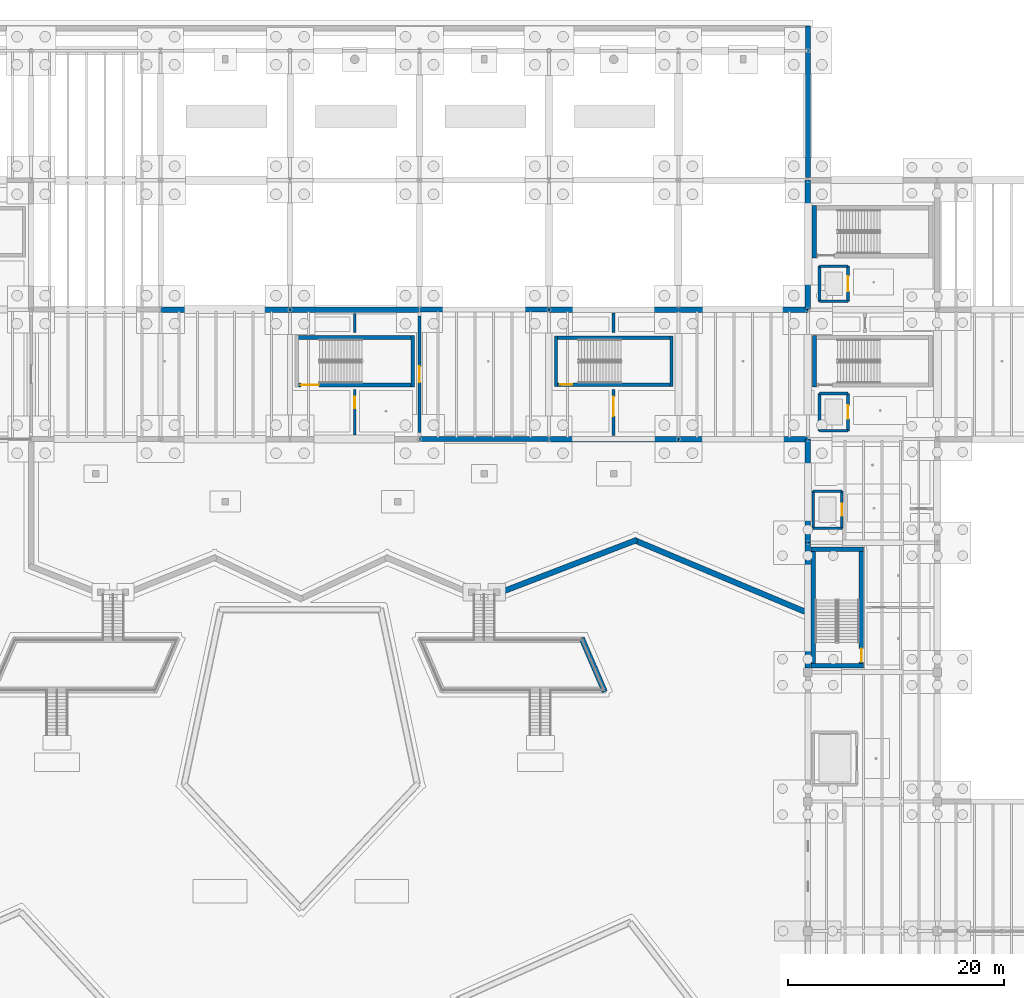
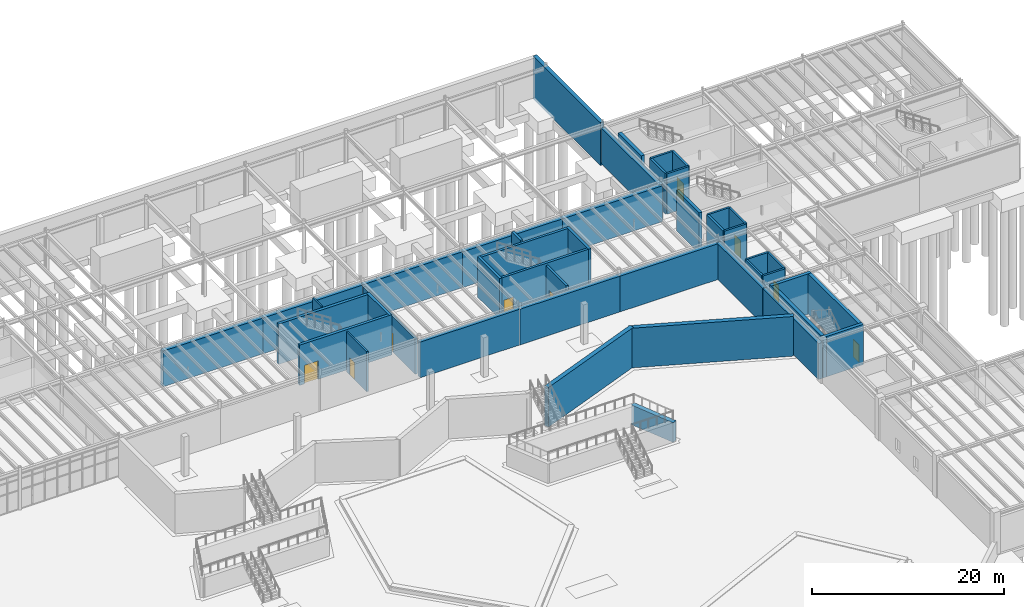
# One storey, part 37 of 67: 45 walls, 9 doors, 9 openings.
"""IFC4 building model written with IfcOpenShell, lengths in metres."""

from ifc_helpers import new_model, si_unit, direction, frame, frame_2d, origin, place, context, subcontext, project, spatial, rectangle, extrude, material, layer, layer_set, type_object, element, fill, save


model = new_model("IFC4")

# Units and contexts
model_context = context("Model", 3, precision=1e-05, world=origin(), true_north=direction((0.0, 1.0)))
body_context = subcontext(model_context, "Body", "Model", "MODEL_VIEW")
ifc_project = project(units=[si_unit("LENGTHUNIT", "METRE"), si_unit("AREAUNIT", "SQUARE_METRE"), si_unit("VOLUMEUNIT", "CUBIC_METRE"), si_unit("PLANEANGLEUNIT", "RADIAN"), si_unit("MASSUNIT", "GRAM", prefix="KILO")], contexts=[model_context])

# Site, building, storey
site_placement = place(None, origin())
site = spatial("IfcSite", under=ifc_project, at=site_placement, CompositionType="ELEMENT")
building_placement = place(site_placement, origin())
building = spatial("IfcBuilding", under=site, at=building_placement, Name="Zlatogorsky Bluff Art Gallery", CompositionType="ELEMENT")
storey_placement = place(building_placement, frame((0.0, 0.0, -5.39990234375)))
storey = spatial("IfcBuildingStorey", under=building, at=storey_placement, Name="B1", CompositionType="ELEMENT", Elevation=-5.39990234375)

# Walls
ifc_material_1 = material(Name="Concrete C35/45", Category="concrete")
ifc_layer_1 = layer(ifc_material_1, 0.449951171875)
ifc_layer_set_1 = layer_set([ifc_layer_1], Name="Exterior Wall RW-01 450mm")
wall_type_1 = type_object("IfcWallType", Name="Exterior Wall RW-01 450mm", PredefinedType="USERDEFINED", material=ifc_layer_set_1)
wall_1_placement = place(storey_placement, frame((120.0, 122.280029296875, -0.400146484375), z_axis=(0.0, 0.0, 1.0), x_axis=(0.0, -1.0, 0.0)))
element("IfcWall", 1, at=wall_1_placement, inside=storey, type_object=wall_type_1, Name="Stepped river-bluff angled concrete wall NSK-04", ObjectType="RETAINING WALL", PredefinedType="USERDEFINED", context=body_context, shape_type="SweptSolid", body=[
    extrude(rectangle(XDim=14.030029296875, YDim=0.449951171875, at=frame_2d((7.01513671875, 0.0))), origin(), (0.0, 0.0, 1.0), 5.43994140625),
])
for number, where, z_axis, x_axis, name in (
    (2, (84.0, 84.0, 0.0), (0.0, 0.0, 1.0), (1.0, 0.0, 0.0), "Exterior wall RW-01 B1 S 7.8"),
    (3, (96.0, 96.0, 0.0), (0.0, 0.0, 1.0), (-1.0, 0.0, 0.0), "Exterior wall RW-01 B1 N 7.8"),
):
    element("IfcWall", number, at=place(storey_placement, frame(where, z_axis=z_axis, x_axis=x_axis)), inside=storey, type_object=wall_type_1, Name=name, ObjectType="RETAINING WALL", PredefinedType="USERDEFINED", context=body_context, shape_type="SweptSolid", body=[
        extrude(rectangle(XDim=12.0, YDim=0.449951171875, at=frame_2d((6.0, 0.0))), origin(), (0.0, 0.0, 1.0), 4.539794921875),
    ])
ifc_layer_2 = layer(ifc_material_1, 0.5)
ifc_layer_set_2 = layer_set([ifc_layer_2], Name="Exterior Wall RW-02 500mm")
wall_type_2 = type_object("IfcWallType", Name="Exterior Wall RW-02 500mm", PredefinedType="USERDEFINED", material=ifc_layer_set_2)
for number, where, z_axis, x_axis, name in (
    (4, (72.0, 96.0, 0.0), (0.0, 0.0, 1.0), (-1.0, 0.0, 0.0), "Exterior wall RW-02 B1 N 5.8"),
    (5, (96.0, 84.0, 0.0), (0.0, 0.0, 1.0), (1.0, 0.0, 0.0), "Exterior wall RW-02 B1 S 8.8"),
    (6, (108.0, 96.0, 0.0), (0.0, 0.0, 1.0), (-1.0, 0.0, 0.0), "Exterior wall RW-02 B1 N 8.8"),
):
    element("IfcWall", number, at=place(storey_placement, frame(where, z_axis=z_axis, x_axis=x_axis)), inside=storey, type_object=wall_type_2, Name=name, ObjectType="RETAINING WALL", PredefinedType="USERDEFINED", context=body_context, shape_type="SweptSolid", body=[
        extrude(rectangle(XDim=12.0, YDim=0.5, at=frame_2d((6.0, 0.0))), origin(), (0.0, 0.0, 1.0), 4.539794921875),
    ])
wall_2_placement = place(storey_placement, frame((120.0, 74.39990234375, 0.0), z_axis=(0.0, 0.0, 1.0), x_axis=(0.0, -1.0, 0.0)))
element("IfcWall", 7, at=wall_2_placement, inside=storey, type_object=wall_type_2, Name="Exterior wall RW-02 B1 W 10.6", ObjectType="RETAINING WALL", PredefinedType="USERDEFINED", context=body_context, shape_type="SweptSolid", body=[
    extrude(rectangle(XDim=11.60498046875, YDim=0.5, at=frame_2d((5.802490234375, 0.0))), origin(), (0.0, 0.0, 1.0), 4.539794921875),
])
wall_3_placement = place(storey_placement, frame((120.0, 108.0, 0.0), z_axis=(0.0, 0.0, 1.0), x_axis=(0.0, -1.0, 0.0)))
element("IfcWall", 8, at=wall_3_placement, inside=storey, type_object=wall_type_2, Name="Exterior wall RW-02 B1 W 10.9", ObjectType="RETAINING WALL", PredefinedType="USERDEFINED", context=body_context, shape_type="SweptSolid", body=[
    extrude(rectangle(XDim=12.0, YDim=0.5, at=frame_2d((6.0, 0.0))), origin(), (0.0, 0.0, 1.0), 4.539794921875),
])
ifc_layer_3 = layer(ifc_material_1, 0.52001953125)
ifc_layer_set_3 = layer_set([ifc_layer_3], Name="Exterior Wall RW-03 520mm")
wall_type_3 = type_object("IfcWallType", Name="Exterior Wall RW-03 520mm", PredefinedType="USERDEFINED", material=ifc_layer_set_3)
wall_4_placement = place(storey_placement, frame((91.0, 69.60009765625, 0.0), z_axis=(0.0, 0.0, 1.0), x_axis=(0.933349174147, 0.358969802516, 0.0)))
element("IfcWall", 9, at=wall_4_placement, inside=storey, type_object=wall_type_3, Name="Stepped river-bluff angled concrete wall RIM-09", ObjectType="RETAINING WALL", PredefinedType="USERDEFINED", context=body_context, shape_type="SweptSolid", body=[
    extrude(rectangle(XDim=14.1083984375, YDim=0.52001953125, at=frame_2d((7.05419921875, 0.0))), origin(), (0.0, 0.0, 1.0), 5.039794921875),
])
wall_5_placement = place(storey_placement, frame((103.833984375, 74.669677734375, 0.0), z_axis=(0.0, 0.0, 1.0), x_axis=(0.922206431843, -0.386697940346, 0.0)))
element("IfcWall", 10, at=wall_5_placement, inside=storey, type_object=wall_type_3, Name="Stepped river-bluff angled concrete wall RIM-10", ObjectType="RETAINING WALL", PredefinedType="USERDEFINED", context=body_context, shape_type="SweptSolid", body=[
    extrude(rectangle(XDim=17.247802734375, YDim=0.52001953125, at=frame_2d((8.6240234375, 0.0))), origin(), (0.0, 0.0, 1.0), 5.039794921875),
])
wall_6_placement = place(storey_placement, frame((101.171142578125, 60.584716796875, 0.0), z_axis=(0.0, 0.0, 1.0), x_axis=(-0.395125413496, 0.918627186409, 0.0)))
element("IfcWall", 11, at=wall_6_placement, inside=storey, type_object=wall_type_3, Name="Stepped river-bluff angled concrete wall EMD-02", ObjectType="RETAINING WALL", PredefinedType="USERDEFINED", context=body_context, shape_type="SweptSolid", body=[
    extrude(rectangle(XDim=5.421875, YDim=0.52001953125, at=frame_2d((2.7109375, 0.0))), origin(), (0.0, 0.0, 1.0), 2.489990234375),
])
for number, where, z_axis, x_axis, name in (
    (12, (84.0, 96.0, 0.0), (0.0, 0.0, 1.0), (-1.0, 0.0, 0.0), "Exterior wall RW-03 B1 N 6.8"),
    (13, (108.0, 84.0, 0.0), (0.0, 0.0, 1.0), (1.0, 0.0, 0.0), "Exterior wall RW-03 B1 S 9.8"),
    (14, (120.0, 96.0, 0.0), (0.0, 0.0, 1.0), (-1.0, 0.0, 0.0), "Exterior wall RW-03 B1 N 9.8"),
):
    element("IfcWall", number, at=place(storey_placement, frame(where, z_axis=z_axis, x_axis=x_axis)), inside=storey, type_object=wall_type_3, Name=name, ObjectType="RETAINING WALL", PredefinedType="USERDEFINED", context=body_context, shape_type="SweptSolid", body=[
        extrude(rectangle(XDim=12.0, YDim=0.52001953125, at=frame_2d((6.0, 0.0))), origin(), (0.0, 0.0, 1.0), 4.539794921875),
    ])
wall_7_placement = place(storey_placement, frame((120.0, 84.0, 0.0), z_axis=(0.0, 0.0, 1.0), x_axis=(0.0, -1.0, 0.0)))
element("IfcWall", 15, at=wall_7_placement, inside=storey, type_object=wall_type_3, Name="Exterior wall RW-03 B1 W 10.7", ObjectType="RETAINING WALL", PredefinedType="USERDEFINED", context=body_context, shape_type="SweptSolid", body=[
    extrude(rectangle(XDim=9.60009765625, YDim=0.52001953125, at=frame_2d((4.800048828125, 0.0))), origin(), (0.0, 0.0, 1.0), 4.539794921875),
])

# Wall, opening, door
ifc_material_2 = material(Name="Concrete C30/37", Category="concrete")
ifc_layer_4 = layer(ifc_material_2, 0.199951171875)
ifc_layer_set_4 = layer_set([ifc_layer_4], Name="Interior Wall IW-03 200mm")
wall_type_4 = type_object("IfcWallType", Name="Interior Wall IW-03 200mm", PredefinedType="PARTITIONING", material=ifc_layer_set_4)
wall_8_placement = place(storey_placement, frame((78.0, 84.3701171875, 0.0), z_axis=(0.0, 0.0, 1.0), x_axis=(0.0, 1.0, 0.0)))
wall_8 = element("IfcWall", 16, at=wall_8_placement, inside=storey, type_object=wall_type_4, Name="Partition IW-03 between B1-C1-11 and B1-C1-12-S1", PredefinedType="PARTITIONING", context=body_context, shape_type="SweptSolid", body=[
    extrude(rectangle(XDim=4.2099609375, YDim=0.199951171875, at=frame_2d((2.10498046875, 0.0))), origin(), (0.0, 0.0, 1.0), 5.099853515625),
])
opening_1_placement = place(wall_8_placement, frame((2.510009765625, 0.0, 0.0)))
opening_1 = element("IfcOpeningElement", 17, at=opening_1_placement, cuts=wall_8, Name="Opening ID-04", PredefinedType="OPENING", context=body_context, shape_type="SweptSolid", body=[
    extrude(rectangle(XDim=1.050048828125, YDim=2.199951171875, at=frame_2d((0.52490234375, 1.10009765625))), frame((0.0, 0.10986328125, 0.0), z_axis=(0.0, -1.0, 0.0), x_axis=(1.0, 0.0, 0.0)), (0.0, 0.0, 1.0), 0.219970703125),
])
ifc_material_3 = material(Name="Anodised Aluminium and Laminated Timber", Category="wood")
door_type_1 = type_object("IfcDoorType", Name="Interior Door ID-04 1050x2200", OperationType="SINGLE_SWING_LEFT", PredefinedType="DOOR", material=ifc_material_3)
door_1_placement = place(opening_1_placement, origin())
door_1 = element("IfcDoor", 18, at=door_1_placement, inside=storey, type_object=door_type_1, Name="Door ID-04 B1-C1-11-B1-C1-12-S1", OperationType="SINGLE_SWING_LEFT", OverallHeight=2.199951171875, OverallWidth=1.050048828125, PredefinedType="DOOR", context=body_context, shape_type="SweptSolid", body=[
    extrude(rectangle(XDim=1.050048828125, YDim=2.199951171875, at=frame_2d((0.52490234375, 1.10009765625))), frame((0.0, 0.02490234375, 0.0), z_axis=(0.0, -1.0, 0.0), x_axis=(1.0, 0.0, 0.0)), (0.0, 0.0, 1.0), 0.050048828125),
])
fill(opening_1, door_1)

# Walls
wall_9_placement = place(storey_placement, frame((78.0, 93.8701171875, 0.0), z_axis=(0.0, 0.0, 1.0), x_axis=(0.0, 1.0, 0.0)))
element("IfcWall", 19, at=wall_9_placement, inside=storey, type_object=wall_type_4, Name="Partition IW-03 between B1-C1-11 and B1-C1-12-S2", PredefinedType="PARTITIONING", context=body_context, shape_type="SweptSolid", body=[
    extrude(rectangle(XDim=1.759765625, YDim=0.199951171875, at=frame_2d((0.8798828125, 0.0))), origin(), (0.0, 0.0, 1.0), 5.099853515625),
])
ifc_layer_5 = layer(ifc_material_1, 0.25)
ifc_layer_set_5 = layer_set([ifc_layer_5], Name="Interior Wall IW-05 250mm")
wall_type_5 = type_object("IfcWallType", Name="Interior Wall IW-05 250mm", PredefinedType="SOLIDWALL", material=ifc_layer_set_5)
wall_10_placement = place(storey_placement, frame((120.4951171875, 75.72509765625, 0.0), z_axis=(0.0, 0.0, 1.0), x_axis=(1.0, 0.0, 0.0)))
element("IfcWall", 20, at=wall_10_placement, inside=storey, type_object=wall_type_5, Name="Lift FL-1 shaft wall B1 S", PredefinedType="SOLIDWALL", context=body_context, shape_type="SweptSolid", body=[
    extrude(rectangle(XDim=2.64990234375, YDim=0.25, at=frame_2d((1.324951171875, 0.0))), origin(), (0.0, 0.0, 1.0), 5.119873046875),
])

# Wall, opening, door
wall_11_placement = place(storey_placement, frame((123.14501953125, 75.72509765625, 0.0), z_axis=(0.0, 0.0, 1.0), x_axis=(0.0, 1.0, 0.0)))
wall_11 = element("IfcWall", 21, at=wall_11_placement, inside=storey, type_object=wall_type_5, Name="Lift FL-1 shaft wall B1 E", PredefinedType="SOLIDWALL", context=body_context, shape_type="SweptSolid", body=[
    extrude(rectangle(XDim=3.449951171875, YDim=0.25, at=frame_2d((1.72509765625, 0.0))), origin(), (0.0, 0.0, 1.0), 5.119873046875),
])
opening_2_placement = place(wall_11_placement, frame((1.175048828125, 0.0, 0.0)))
opening_2 = element("IfcOpeningElement", 22, at=opening_2_placement, cuts=wall_11, Name="Opening LD-01", PredefinedType="OPENING", context=body_context, shape_type="SweptSolid", body=[
    extrude(rectangle(XDim=1.10009765625, YDim=2.199951171875, at=frame_2d((0.550048828125, 1.10009765625))), frame((0.0, 0.135009765625, 0.0), z_axis=(0.0, -1.0, 0.0), x_axis=(1.0, 0.0, 0.0)), (0.0, 0.0, 1.0), 0.27001953125),
])
door_type_2 = type_object("IfcDoorType", Name="Interior Door LD-01 1100x2200", OperationType="SLIDING_TO_LEFT", PredefinedType="DOOR", material=ifc_material_3)
door_2_placement = place(opening_2_placement, origin())
door_2 = element("IfcDoor", 23, at=door_2_placement, inside=storey, type_object=door_type_2, Name="Lift FL-1 sliding landing door B1", OperationType="SLIDING_TO_LEFT", OverallHeight=2.199951171875, OverallWidth=1.10009765625, PredefinedType="DOOR", context=body_context, shape_type="SweptSolid", body=[
    extrude(rectangle(XDim=1.10009765625, YDim=2.199951171875, at=frame_2d((0.550048828125, 1.10009765625))), frame((0.0, 0.02490234375, 0.0), z_axis=(0.0, -1.0, 0.0), x_axis=(1.0, 0.0, 0.0)), (0.0, 0.0, 1.0), 0.050048828125),
])
fill(opening_2, door_2)

# Walls
wall_12_placement = place(storey_placement, frame((123.14501953125, 79.175048828125, 0.0), z_axis=(0.0, 0.0, 1.0), x_axis=(-1.0, 0.0, 0.0)))
element("IfcWall", 24, at=wall_12_placement, inside=storey, type_object=wall_type_5, Name="Lift FL-1 shaft wall B1 N", PredefinedType="SOLIDWALL", context=body_context, shape_type="SweptSolid", body=[
    extrude(rectangle(XDim=2.64990234375, YDim=0.25, at=frame_2d((1.324951171875, 0.0))), origin(), (0.0, 0.0, 1.0), 5.119873046875),
])
wall_13_placement = place(storey_placement, frame((120.4951171875, 79.175048828125, 0.0), z_axis=(0.0, 0.0, 1.0), x_axis=(0.0, -1.0, 0.0)))
element("IfcWall", 25, at=wall_13_placement, inside=storey, type_object=wall_type_5, Name="Lift FL-1 shaft wall B1 W", PredefinedType="SOLIDWALL", context=body_context, shape_type="SweptSolid", body=[
    extrude(rectangle(XDim=3.449951171875, YDim=0.25, at=frame_2d((1.72509765625, 0.0))), origin(), (0.0, 0.0, 1.0), 5.119873046875),
])
wall_14_placement = place(storey_placement, frame((121.074951171875, 84.77490234375, 0.0), z_axis=(0.0, 0.0, 1.0), x_axis=(1.0, 0.0, 0.0)))
element("IfcWall", 26, at=wall_14_placement, inside=storey, type_object=wall_type_5, Name="Lift FL-2 shaft wall B1 S", PredefinedType="SOLIDWALL", context=body_context, shape_type="SweptSolid", body=[
    extrude(rectangle(XDim=2.650146484375, YDim=0.25, at=frame_2d((1.3251953125, 0.0))), origin(), (0.0, 0.0, 1.0), 5.119873046875),
])

# Wall, opening, door
wall_15_placement = place(storey_placement, frame((123.72509765625, 84.77490234375, 0.0), z_axis=(0.0, 0.0, 1.0), x_axis=(0.0, 1.0, 0.0)))
wall_15 = element("IfcWall", 27, at=wall_15_placement, inside=storey, type_object=wall_type_5, Name="Lift FL-2 shaft wall B1 E", PredefinedType="SOLIDWALL", context=body_context, shape_type="SweptSolid", body=[
    extrude(rectangle(XDim=3.4501953125, YDim=0.25, at=frame_2d((1.72509765625, 0.0))), origin(), (0.0, 0.0, 1.0), 5.119873046875),
])
opening_3_placement = place(wall_15_placement, frame((1.10009765625, 0.0, 0.0)))
opening_3 = element("IfcOpeningElement", 28, at=opening_3_placement, cuts=wall_15, Name="Opening LD-02", PredefinedType="OPENING", context=body_context, shape_type="SweptSolid", body=[
    extrude(rectangle(XDim=1.25, YDim=2.25, at=frame_2d((0.625, 1.125))), frame((0.0, 0.135009765625, 0.0), z_axis=(0.0, -1.0, 0.0), x_axis=(1.0, 0.0, 0.0)), (0.0, 0.0, 1.0), 0.27001953125),
])
door_type_3 = type_object("IfcDoorType", Name="Interior Door LD-02 1250x2250", OperationType="SLIDING_TO_LEFT", PredefinedType="DOOR", material=ifc_material_3)
door_3_placement = place(opening_3_placement, origin())
door_3 = element("IfcDoor", 29, at=door_3_placement, inside=storey, type_object=door_type_3, Name="Lift FL-2 sliding landing door B1", OperationType="SLIDING_TO_LEFT", OverallHeight=2.25, OverallWidth=1.25, PredefinedType="DOOR", context=body_context, shape_type="SweptSolid", body=[
    extrude(rectangle(XDim=1.25, YDim=2.25, at=frame_2d((0.625, 1.125))), frame((0.0, 0.02490234375, 0.0), z_axis=(0.0, -1.0, 0.0), x_axis=(1.0, 0.0, 0.0)), (0.0, 0.0, 1.0), 0.050048828125),
])
fill(opening_3, door_3)

# Walls
wall_16_placement = place(storey_placement, frame((123.72509765625, 88.22509765625, 0.0), z_axis=(0.0, 0.0, 1.0), x_axis=(-1.0, 0.0, 0.0)))
element("IfcWall", 30, at=wall_16_placement, inside=storey, type_object=wall_type_5, Name="Lift FL-2 shaft wall B1 N", PredefinedType="SOLIDWALL", context=body_context, shape_type="SweptSolid", body=[
    extrude(rectangle(XDim=2.650146484375, YDim=0.25, at=frame_2d((1.3251953125, 0.0))), origin(), (0.0, 0.0, 1.0), 5.119873046875),
])
wall_17_placement = place(storey_placement, frame((121.074951171875, 88.22509765625, 0.0), z_axis=(0.0, 0.0, 1.0), x_axis=(0.0, -1.0, 0.0)))
element("IfcWall", 31, at=wall_17_placement, inside=storey, type_object=wall_type_5, Name="Lift FL-2 shaft wall B1 W", PredefinedType="SOLIDWALL", context=body_context, shape_type="SweptSolid", body=[
    extrude(rectangle(XDim=3.4501953125, YDim=0.25, at=frame_2d((1.72509765625, 0.0))), origin(), (0.0, 0.0, 1.0), 5.119873046875),
])
wall_18_placement = place(storey_placement, frame((121.074951171875, 96.77490234375, 0.0), z_axis=(0.0, 0.0, 1.0), x_axis=(1.0, 0.0, 0.0)))
element("IfcWall", 32, at=wall_18_placement, inside=storey, type_object=wall_type_5, Name="Lift PL-1 shaft wall B1 S", PredefinedType="SOLIDWALL", context=body_context, shape_type="SweptSolid", body=[
    extrude(rectangle(XDim=2.650146484375, YDim=0.25, at=frame_2d((1.3251953125, 0.0))), origin(), (0.0, 0.0, 1.0), 5.119873046875),
])

# Wall, opening, door
wall_19_placement = place(storey_placement, frame((123.72509765625, 96.77490234375, 0.0), z_axis=(0.0, 0.0, 1.0), x_axis=(0.0, 1.0, 0.0)))
wall_19 = element("IfcWall", 33, at=wall_19_placement, inside=storey, type_object=wall_type_5, Name="Lift PL-1 shaft wall B1 E", PredefinedType="SOLIDWALL", context=body_context, shape_type="SweptSolid", body=[
    extrude(rectangle(XDim=3.25, YDim=0.25, at=frame_2d((1.625, 0.0))), origin(), (0.0, 0.0, 1.0), 5.119873046875),
])
opening_4_placement = place(wall_19_placement, frame((0.925048828125, 0.0, 0.0)))
opening_4 = element("IfcOpeningElement", 34, at=opening_4_placement, cuts=wall_19, Name="Opening LD-03", PredefinedType="OPENING", context=body_context, shape_type="SweptSolid", body=[
    extrude(rectangle(XDim=1.39990234375, YDim=2.300048828125, at=frame_2d((0.699951171875, 1.14990234375))), frame((0.0, 0.135009765625, 0.0), z_axis=(0.0, -1.0, 0.0), x_axis=(1.0, 0.0, 0.0)), (0.0, 0.0, 1.0), 0.27001953125),
])
door_type_4 = type_object("IfcDoorType", Name="Interior Door LD-03 1400x2300", OperationType="SLIDING_TO_LEFT", PredefinedType="DOOR", material=ifc_material_3)
door_4_placement = place(opening_4_placement, origin())
door_4 = element("IfcDoor", 35, at=door_4_placement, inside=storey, type_object=door_type_4, Name="Lift PL-1 sliding landing door B1", OperationType="SLIDING_TO_LEFT", OverallHeight=2.300048828125, OverallWidth=1.39990234375, PredefinedType="DOOR", context=body_context, shape_type="SweptSolid", body=[
    extrude(rectangle(XDim=1.39990234375, YDim=2.300048828125, at=frame_2d((0.699951171875, 1.14990234375))), frame((0.0, 0.02490234375, 0.0), z_axis=(0.0, -1.0, 0.0), x_axis=(1.0, 0.0, 0.0)), (0.0, 0.0, 1.0), 0.050048828125),
])
fill(opening_4, door_4)

# Walls
wall_20_placement = place(storey_placement, frame((123.72509765625, 100.02490234375, 0.0), z_axis=(0.0, 0.0, 1.0), x_axis=(-1.0, 0.0, 0.0)))
element("IfcWall", 36, at=wall_20_placement, inside=storey, type_object=wall_type_5, Name="Lift PL-1 shaft wall B1 N", PredefinedType="SOLIDWALL", context=body_context, shape_type="SweptSolid", body=[
    extrude(rectangle(XDim=2.650146484375, YDim=0.25, at=frame_2d((1.3251953125, 0.0))), origin(), (0.0, 0.0, 1.0), 5.119873046875),
])
wall_21_placement = place(storey_placement, frame((121.074951171875, 100.02490234375, 0.0), z_axis=(0.0, 0.0, 1.0), x_axis=(0.0, -1.0, 0.0)))
element("IfcWall", 37, at=wall_21_placement, inside=storey, type_object=wall_type_5, Name="Lift PL-1 shaft wall B1 W", PredefinedType="SOLIDWALL", context=body_context, shape_type="SweptSolid", body=[
    extrude(rectangle(XDim=3.25, YDim=0.25, at=frame_2d((1.625, 0.0))), origin(), (0.0, 0.0, 1.0), 5.119873046875),
])

# Wall, opening, door
ifc_layer_6 = layer(ifc_material_1, 0.280029296875)
ifc_layer_set_6 = layer_set([ifc_layer_6], Name="Interior Wall IW-06 280mm")
wall_type_6 = type_object("IfcWallType", Name="Interior Wall IW-06 280mm", PredefinedType="SOLIDWALL", material=ifc_layer_set_6)
wall_22_placement = place(storey_placement, frame((84.0, 84.594482421875, 0.0), z_axis=(0.0, 0.0, 1.0), x_axis=(0.0, 1.0, 0.0)))
wall_22 = element("IfcWall", 38, at=wall_22_placement, inside=storey, type_object=wall_type_6, Name="Partition IW-06 between B1-C1-12 and B1-S3-11", PredefinedType="SOLIDWALL", context=body_context, shape_type="SweptSolid", body=[
    extrude(rectangle(XDim=10.81103515625, YDim=0.280029296875, at=frame_2d((5.405517578125, 0.0))), origin(), (0.0, 0.0, 1.0), 4.52978515625),
])
opening_5_placement = place(wall_22_placement, frame((4.656005859375, 0.0, 0.0)))
opening_5 = element("IfcOpeningElement", 39, at=opening_5_placement, cuts=wall_22, Name="Opening ID-09", PredefinedType="OPENING", context=body_context, shape_type="SweptSolid", body=[
    extrude(rectangle(XDim=1.5, YDim=2.35009765625, at=frame_2d((0.75, 1.175048828125))), frame((0.0, 0.14990234375, 0.0), z_axis=(0.0, -1.0, 0.0), x_axis=(1.0, 0.0, 0.0)), (0.0, 0.0, 1.0), 0.300048828125),
])
door_type_5 = type_object("IfcDoorType", Name="Interior Door ID-09 1500x2350", OperationType="DOUBLE_DOOR_SINGLE_SWING", PredefinedType="DOOR", material=ifc_material_3)
door_5_placement = place(opening_5_placement, origin())
door_5 = element("IfcDoor", 40, at=door_5_placement, inside=storey, type_object=door_type_5, Name="Door ID-09 B1-C1-12-B1-S3-11", OperationType="DOUBLE_DOOR_SINGLE_SWING", OverallHeight=2.35009765625, OverallWidth=1.5, PredefinedType="DOOR", context=body_context, shape_type="SweptSolid", body=[
    extrude(rectangle(XDim=1.5, YDim=2.35009765625, at=frame_2d((0.75, 1.175048828125))), frame((0.0, 0.02490234375, 0.0), z_axis=(0.0, -1.0, 0.0), x_axis=(1.0, 0.0, 0.0)), (0.0, 0.0, 1.0), 0.050048828125),
])
fill(opening_5, door_5)

wall_23_placement = place(storey_placement, frame((102.0, 84.330078125, 0.0), z_axis=(0.0, 0.0, 1.0), x_axis=(0.0, 1.0, 0.0)))
wall_23 = element("IfcWall", 41, at=wall_23_placement, inside=storey, type_object=wall_type_6, Name="Partition IW-06 between B1-S3-11 and B1-S3-12-S1", PredefinedType="SOLIDWALL", context=body_context, shape_type="SweptSolid", body=[
    extrude(rectangle(XDim=4.25, YDim=0.280029296875, at=frame_2d((2.125, 0.0))), origin(), (0.0, 0.0, 1.0), 5.099853515625),
])
opening_6_placement = place(wall_23_placement, frame((1.800048828125, 0.0, 0.0)))
opening_6 = element("IfcOpeningElement", 42, at=opening_6_placement, cuts=wall_23, Name="Opening ID-11", PredefinedType="OPENING", context=body_context, shape_type="SweptSolid", body=[
    extrude(rectangle(XDim=1.800048828125, YDim=2.39990234375, at=frame_2d((0.89990234375, 1.199951171875))), frame((0.0, 0.14990234375, 0.0), z_axis=(0.0, -1.0, 0.0), x_axis=(1.0, 0.0, 0.0)), (0.0, 0.0, 1.0), 0.300048828125),
])
door_type_6 = type_object("IfcDoorType", Name="Interior Door ID-11 1800x2400", OperationType="DOUBLE_DOOR_SINGLE_SWING", PredefinedType="DOOR", material=ifc_material_3)
door_6_placement = place(opening_6_placement, origin())
door_6 = element("IfcDoor", 43, at=door_6_placement, inside=storey, type_object=door_type_6, Name="Door ID-11 B1-S3-11-B1-S3-12-S1", OperationType="DOUBLE_DOOR_SINGLE_SWING", OverallHeight=2.39990234375, OverallWidth=1.800048828125, PredefinedType="DOOR", context=body_context, shape_type="SweptSolid", body=[
    extrude(rectangle(XDim=1.800048828125, YDim=2.39990234375, at=frame_2d((0.89990234375, 1.199951171875))), frame((0.0, 0.02490234375, 0.0), z_axis=(0.0, -1.0, 0.0), x_axis=(1.0, 0.0, 0.0)), (0.0, 0.0, 1.0), 0.050048828125),
])
fill(opening_6, door_6)

# Wall
wall_24_placement = place(storey_placement, frame((102.0, 93.8701171875, 0.0), z_axis=(0.0, 0.0, 1.0), x_axis=(0.0, 1.0, 0.0)))
element("IfcWall", 44, at=wall_24_placement, inside=storey, type_object=wall_type_6, Name="Partition IW-06 between B1-S3-11 and B1-S3-12-S2", PredefinedType="SOLIDWALL", context=body_context, shape_type="SweptSolid", body=[
    extrude(rectangle(XDim=1.7998046875, YDim=0.280029296875, at=frame_2d((0.89990234375, 0.0))), origin(), (0.0, 0.0, 1.0), 5.099853515625),
])

# Wall, opening, door
ifc_layer_7 = layer(ifc_material_1, 0.300048828125)
ifc_layer_set_7 = layer_set([ifc_layer_7], Name="Interior Wall SW-01 300mm")
wall_type_7 = type_object("IfcWallType", Name="Interior Wall SW-01 300mm", PredefinedType="SHEAR", material=ifc_layer_set_7)
wall_25_placement = place(storey_placement, frame((96.5, 89.050048828125, 0.0), z_axis=(0.0, 0.0, 1.0), x_axis=(1.0, 0.0, 0.0)))
wall_25 = element("IfcWall", 45, at=wall_25_placement, inside=storey, type_object=wall_type_7, Name="Stair ST-01 enclosure wall B1 W0", PredefinedType="SHEAR", context=body_context, shape_type="SweptSolid", body=[
    extrude(rectangle(XDim=11.0, YDim=0.300048828125, at=frame_2d((5.5, 0.0))), origin(), (0.0, 0.0, 1.0), 5.119873046875),
])
opening_7_placement = place(wall_25_placement, frame((0.550048828125, 0.0, 0.0)))
opening_7 = element("IfcOpeningElement", 46, at=opening_7_placement, cuts=wall_25, Name="Opening FD-01", PredefinedType="OPENING", context=body_context, shape_type="SweptSolid", body=[
    extrude(rectangle(XDim=1.1201171875, YDim=2.199951171875, at=frame_2d((0.56005859375, 1.10009765625))), frame((0.0, 0.159912109375, 0.0), z_axis=(0.0, -1.0, 0.0), x_axis=(1.0, 0.0, 0.0)), (0.0, 0.0, 1.0), 0.320068359375),
])
door_type_7 = type_object("IfcDoorType", Name="Interior Door FD-01 1120x2200", OperationType="SINGLE_SWING_LEFT", PredefinedType="DOOR", material=ifc_material_3)
door_7_placement = place(opening_7_placement, origin())
door_7 = element("IfcDoor", 47, at=door_7_placement, inside=storey, type_object=door_type_7, Name="Stair ST-01 fire door B1", OperationType="SINGLE_SWING_LEFT", OverallHeight=2.199951171875, OverallWidth=1.1201171875, PredefinedType="DOOR", context=body_context, shape_type="SweptSolid", body=[
    extrude(rectangle(XDim=1.1201171875, YDim=2.199951171875, at=frame_2d((0.56005859375, 1.10009765625))), frame((0.0, 0.02490234375, 0.0), z_axis=(0.0, -1.0, 0.0), x_axis=(1.0, 0.0, 0.0)), (0.0, 0.0, 1.0), 0.050048828125),
])
fill(opening_7, door_7)

# Walls
wall_26_placement = place(storey_placement, frame((107.35009765625, 88.89990234375, 0.0), z_axis=(0.0, 0.0, 1.0), x_axis=(0.0, 1.0, 0.0)))
element("IfcWall", 48, at=wall_26_placement, inside=storey, type_object=wall_type_7, Name="Stair ST-01 enclosure wall B1 FEND", PredefinedType="SHEAR", context=body_context, shape_type="SweptSolid", body=[
    extrude(rectangle(XDim=4.650146484375, YDim=0.300048828125, at=frame_2d((2.3251953125, 0.0))), origin(), (0.0, 0.0, 1.0), 5.119873046875),
])
wall_27_placement = place(storey_placement, frame((107.5, 93.39990234375, 0.0), z_axis=(0.0, 0.0, 1.0), x_axis=(-1.0, 0.0, 0.0)))
element("IfcWall", 49, at=wall_27_placement, inside=storey, type_object=wall_type_7, Name="Stair ST-01 enclosure wall B1 W1", PredefinedType="SHEAR", context=body_context, shape_type="SweptSolid", body=[
    extrude(rectangle(XDim=11.0, YDim=0.300048828125, at=frame_2d((5.5, 0.0))), origin(), (0.0, 0.0, 1.0), 5.119873046875),
])
wall_28_placement = place(storey_placement, frame((96.64990234375, 93.550048828125, 0.0), z_axis=(0.0, 0.0, 1.0), x_axis=(0.0, -1.0, 0.0)))
element("IfcWall", 50, at=wall_28_placement, inside=storey, type_object=wall_type_7, Name="Stair ST-01 enclosure wall B1 LEND", PredefinedType="SHEAR", context=body_context, shape_type="SweptSolid", body=[
    extrude(rectangle(XDim=4.650146484375, YDim=0.300048828125, at=frame_2d((2.3251953125, 0.0))), origin(), (0.0, 0.0, 1.0), 5.119873046875),
])
ifc_layer_8 = layer(ifc_material_1, 0.35009765625)
ifc_layer_set_8 = layer_set([ifc_layer_8], Name="Interior Wall SW-02 350mm")
wall_type_8 = type_object("IfcWallType", Name="Interior Wall SW-02 350mm", PredefinedType="SHEAR", material=ifc_layer_set_8)
wall_29_placement = place(storey_placement, frame((120.625, 93.60009765625, 0.0), z_axis=(0.0, 0.0, 1.0), x_axis=(0.0, -1.0, 0.0)))
element("IfcWall", 51, at=wall_29_placement, inside=storey, type_object=wall_type_8, Name="Stair ST-02 enclosure wall B1 LEND", PredefinedType="SHEAR", context=body_context, shape_type="SweptSolid", body=[
    extrude(rectangle(XDim=4.75, YDim=0.35009765625, at=frame_2d((2.375, 0.0))), origin(), (0.0, 0.0, 1.0), 5.119873046875),
])

# Wall, opening, door
wall_30_placement = place(storey_placement, frame((72.449951171875, 89.02490234375, 0.0), z_axis=(0.0, 0.0, 1.0), x_axis=(1.0, 0.0, 0.0)))
wall_30 = element("IfcWall", 52, at=wall_30_placement, inside=storey, type_object=wall_type_8, Name="Stair ST-08 enclosure wall B1 W0", PredefinedType="SHEAR", context=body_context, shape_type="SweptSolid", body=[
    extrude(rectangle(XDim=11.10009765625, YDim=0.35009765625, at=frame_2d((5.550048828125, 0.0))), origin(), (0.0, 0.0, 1.0), 5.119873046875),
])
opening_8_placement = place(wall_30_placement, frame((0.550048828125, 0.0, 0.0)))
opening_8 = element("IfcOpeningElement", 53, at=opening_8_placement, cuts=wall_30, Name="Opening FD-04", PredefinedType="OPENING", context=body_context, shape_type="SweptSolid", body=[
    extrude(rectangle(XDim=1.679931640625, YDim=2.35009765625, at=frame_2d((0.83984375, 1.175048828125))), frame((0.0, 0.18505859375, 0.0), z_axis=(0.0, -1.0, 0.0), x_axis=(1.0, 0.0, 0.0)), (0.0, 0.0, 1.0), 0.3701171875),
])
door_type_8 = type_object("IfcDoorType", Name="Interior Door FD-04 1680x2350", OperationType="DOUBLE_DOOR_SINGLE_SWING", PredefinedType="DOOR", material=ifc_material_3)
door_8_placement = place(opening_8_placement, origin())
door_8 = element("IfcDoor", 54, at=door_8_placement, inside=storey, type_object=door_type_8, Name="Stair ST-08 fire door B1", OperationType="DOUBLE_DOOR_SINGLE_SWING", OverallHeight=2.35009765625, OverallWidth=1.679931640625, PredefinedType="DOOR", context=body_context, shape_type="SweptSolid", body=[
    extrude(rectangle(XDim=1.679931640625, YDim=2.35009765625, at=frame_2d((0.83984375, 1.175048828125))), frame((0.0, 0.02490234375, 0.0), z_axis=(0.0, -1.0, 0.0), x_axis=(1.0, 0.0, 0.0)), (0.0, 0.0, 1.0), 0.050048828125),
])
fill(opening_8, door_8)

# Walls
wall_31_placement = place(storey_placement, frame((83.375, 88.85009765625, 0.0), z_axis=(0.0, 0.0, 1.0), x_axis=(0.0, 1.0, 0.0)))
element("IfcWall", 55, at=wall_31_placement, inside=storey, type_object=wall_type_8, Name="Stair ST-08 enclosure wall B1 FEND", PredefinedType="SHEAR", context=body_context, shape_type="SweptSolid", body=[
    extrude(rectangle(XDim=4.75, YDim=0.35009765625, at=frame_2d((2.375, 0.0))), origin(), (0.0, 0.0, 1.0), 5.119873046875),
])
wall_32_placement = place(storey_placement, frame((83.550048828125, 93.425048828125, 0.0), z_axis=(0.0, 0.0, 1.0), x_axis=(-1.0, 0.0, 0.0)))
element("IfcWall", 56, at=wall_32_placement, inside=storey, type_object=wall_type_8, Name="Stair ST-08 enclosure wall B1 W1", PredefinedType="SHEAR", context=body_context, shape_type="SweptSolid", body=[
    extrude(rectangle(XDim=11.10009765625, YDim=0.35009765625, at=frame_2d((5.550048828125, 0.0))), origin(), (0.0, 0.0, 1.0), 5.119873046875),
])
ifc_layer_9 = layer(ifc_material_1, 0.39990234375)
ifc_layer_set_9 = layer_set([ifc_layer_9], Name="Interior Wall SW-03 400mm")
wall_type_9 = type_object("IfcWallType", Name="Interior Wall SW-03 400mm", PredefinedType="SHEAR", material=ifc_layer_set_9)
wall_33_placement = place(storey_placement, frame((120.60009765625, 105.64990234375, 0.0), z_axis=(0.0, 0.0, 1.0), x_axis=(0.0, -1.0, 0.0)))
element("IfcWall", 57, at=wall_33_placement, inside=storey, type_object=wall_type_9, Name="Stair ST-03 enclosure wall B1 LEND", PredefinedType="SHEAR", context=body_context, shape_type="SweptSolid", body=[
    extrude(rectangle(XDim=4.849853515625, YDim=0.39990234375, at=frame_2d((2.4248046875, 0.0))), origin(), (0.0, 0.0, 1.0), 5.119873046875),
])

# Wall, opening, door
wall_34_placement = place(storey_placement, frame((124.949951171875, 62.800048828125, 0.0), z_axis=(0.0, 0.0, 1.0), x_axis=(0.0, 1.0, 0.0)))
wall_34 = element("IfcWall", 58, at=wall_34_placement, inside=storey, type_object=wall_type_9, Name="Stair ST-06 enclosure wall B1 W0", PredefinedType="SHEAR", context=body_context, shape_type="SweptSolid", body=[
    extrude(rectangle(XDim=11.199951171875, YDim=0.39990234375, at=frame_2d((5.60009765625, 0.0))), origin(), (0.0, 0.0, 1.0), 5.119873046875),
])
opening_9_placement = place(wall_34_placement, frame((0.550048828125, 0.0, 0.0)))
opening_9 = element("IfcOpeningElement", 59, at=opening_9_placement, cuts=wall_34, Name="Opening FD-02", PredefinedType="OPENING", context=body_context, shape_type="SweptSolid", body=[
    extrude(rectangle(XDim=1.239990234375, YDim=2.25, at=frame_2d((0.6201171875, 1.125))), frame((0.0, 0.2099609375, 0.0), z_axis=(0.0, -1.0, 0.0), x_axis=(1.0, 0.0, 0.0)), (0.0, 0.0, 1.0), 0.419921875),
])
door_type_9 = type_object("IfcDoorType", Name="Interior Door FD-02 1240x2250", OperationType="SINGLE_SWING_LEFT", PredefinedType="DOOR", material=ifc_material_3)
door_9_placement = place(opening_9_placement, origin())
door_9 = element("IfcDoor", 60, at=door_9_placement, inside=storey, type_object=door_type_9, Name="Stair ST-06 fire door B1", OperationType="SINGLE_SWING_LEFT", OverallHeight=2.25, OverallWidth=1.239990234375, PredefinedType="DOOR", context=body_context, shape_type="SweptSolid", body=[
    extrude(rectangle(XDim=1.239990234375, YDim=2.25, at=frame_2d((0.6201171875, 1.125))), frame((0.0, 0.02490234375, 0.0), z_axis=(0.0, -1.0, 0.0), x_axis=(1.0, 0.0, 0.0)), (0.0, 0.0, 1.0), 0.050048828125),
])
fill(opening_9, door_9)

# Walls
wall_35_placement = place(storey_placement, frame((125.14990234375, 73.800048828125, 0.0), z_axis=(0.0, 0.0, 1.0), x_axis=(-1.0, 0.0, 0.0)))
element("IfcWall", 61, at=wall_35_placement, inside=storey, type_object=wall_type_9, Name="Stair ST-06 enclosure wall B1 FEND", PredefinedType="SHEAR", context=body_context, shape_type="SweptSolid", body=[
    extrude(rectangle(XDim=4.849853515625, YDim=0.39990234375, at=frame_2d((2.4248046875, 0.0))), origin(), (0.0, 0.0, 1.0), 5.119873046875),
])
wall_36_placement = place(storey_placement, frame((120.5, 74.0, 0.0), z_axis=(0.0, 0.0, 1.0), x_axis=(0.0, -1.0, 0.0)))
element("IfcWall", 62, at=wall_36_placement, inside=storey, type_object=wall_type_9, Name="Stair ST-06 enclosure wall B1 W1", PredefinedType="SHEAR", context=body_context, shape_type="SweptSolid", body=[
    extrude(rectangle(XDim=11.199951171875, YDim=0.39990234375, at=frame_2d((5.60009765625, 0.0))), origin(), (0.0, 0.0, 1.0), 5.119873046875),
])
wall_37_placement = place(storey_placement, frame((120.300048828125, 63.0, 0.0), z_axis=(0.0, 0.0, 1.0), x_axis=(1.0, 0.0, 0.0)))
element("IfcWall", 63, at=wall_37_placement, inside=storey, type_object=wall_type_9, Name="Stair ST-06 enclosure wall B1 LEND", PredefinedType="SHEAR", context=body_context, shape_type="SweptSolid", body=[
    extrude(rectangle(XDim=4.849853515625, YDim=0.39990234375, at=frame_2d((2.4248046875, 0.0))), origin(), (0.0, 0.0, 1.0), 5.119873046875),
])

save(model, "model.ifc")
